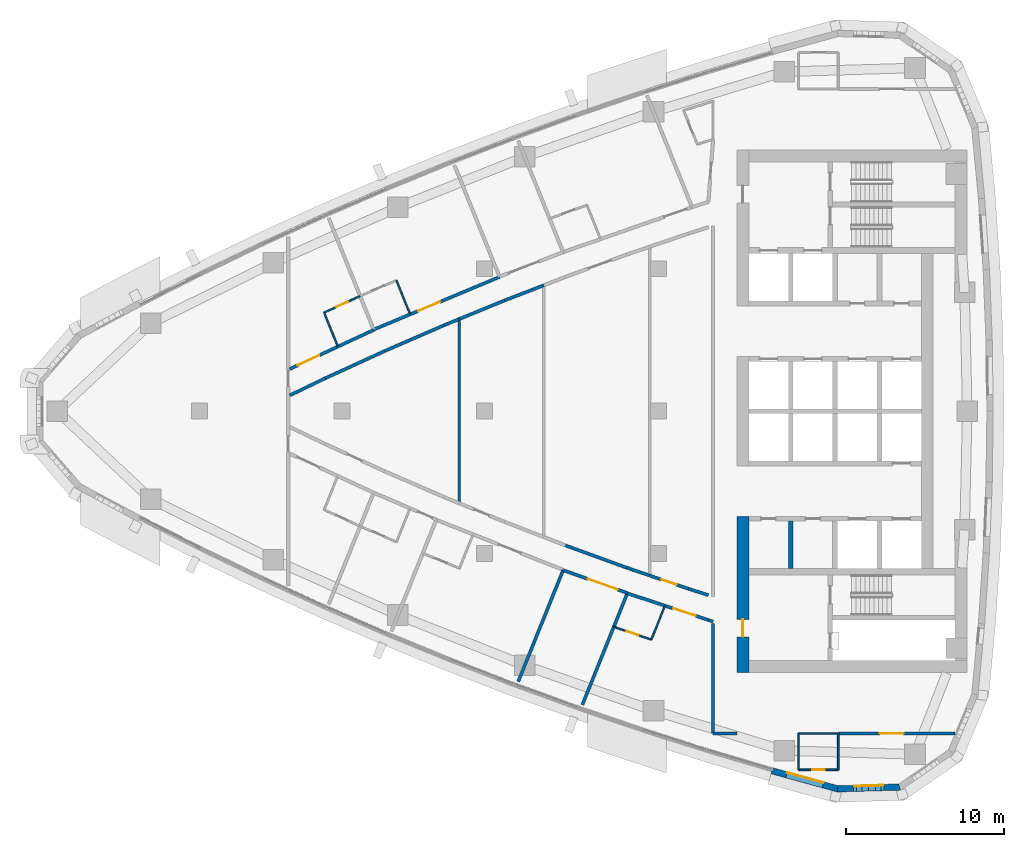
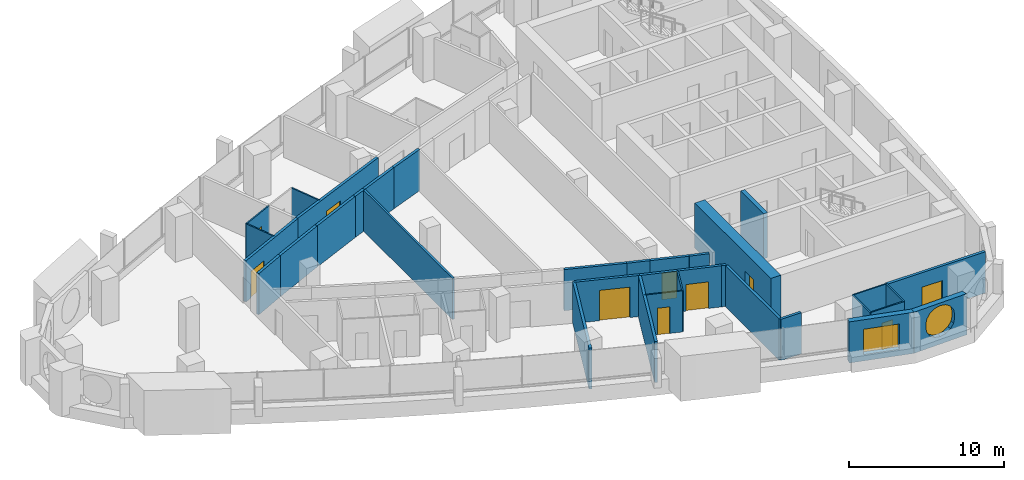
# One storey, part 10 of 17: 34 walls, 10 doors, 2 windows, 12 openings.
"""IFC4 building model written with IfcOpenShell, lengths in metres."""

import ifcopenshell
import ifcopenshell.guid

model = None  # the IFC model being written
_history = None  # IfcOwnerHistory: only IFC2X3 demands one
_inside = {}  # id of a spatial element -> (the spatial element, [elements in it])
_under = {}  # id of a project, library or spatial element -> (it, [spatial elements below it])
_declared = {}  # id of a project -> (the project, [libraries it declares])
_typed = {}  # id of a type object -> (the type object, [elements of that type])
_made_of = {}  # id of a material, layer set ... -> (it, [elements and type objects made of it])


def new_model(schema):
    """Start an empty IFC model of exactly this schema.

    Asked for "IFC4X3", IfcOpenShell would pick the latest addendum, in which some entities
    have other attributes; the version numbers below select the first issue.
    IFC2X3 requires an IfcOwnerHistory on every rooted entity: one is made here for all.
    """
    global model, _history
    if schema == "IFC4X3":
        model = ifcopenshell.file(schema_version=(4, 3, 0, 0))
    else:
        model = ifcopenshell.file(schema=schema)
    _inside.clear()
    _under.clear()
    _declared.clear()
    _typed.clear()
    _made_of.clear()
    _history = None
    if model.schema == "IFC2X3":
        org = make("IfcOrganization", Name="unknown")
        user = make(
            "IfcPersonAndOrganization",
            ThePerson=make("IfcPerson", FamilyName="unknown"),
            TheOrganization=org,
        )
        app = make(
            "IfcApplication",
            ApplicationDeveloper=org,
            Version="unknown",
            ApplicationFullName="unknown",
            ApplicationIdentifier="unknown",
        )
        _history = make(
            "IfcOwnerHistory",
            OwningUser=user,
            OwningApplication=app,
            ChangeAction="ADDED",
            CreationDate=0,
        )
    return model


def make(cls, **values):
    """One entity of the class cls with the attributes given. An attribute that is None is left unset."""
    return model.create_entity(
        cls, **{name: value for name, value in values.items() if value is not None}
    )


def rooted(cls, **values):
    """An entity with a GlobalId (a new one), such as an element, a storey or a relation."""
    return make(cls, GlobalId=ifcopenshell.guid.new(), OwnerHistory=_history, **values)


def si_unit(unit_type, name, prefix=None):
    """IfcSIUnit, for example si_unit("LENGTHUNIT", "METRE", prefix="MILLI")."""
    return make("IfcSIUnit", UnitType=unit_type, Prefix=prefix, Name=name)


def assignment(units):
    """IfcUnitAssignment: the units of a project."""
    return None if units is None else make("IfcUnitAssignment", Units=units)


def point(xyz):
    """IfcCartesianPoint."""
    return None if xyz is None else make("IfcCartesianPoint", Coordinates=xyz)


def direction(xyz):
    """IfcDirection."""
    return None if xyz is None else make("IfcDirection", DirectionRatios=xyz)


def frame(location, z_axis=None, x_axis=None):
    """IfcAxis2Placement3D, a coordinate frame: its origin and axes. An axis left out is left unset."""
    return make(
        "IfcAxis2Placement3D",
        Location=point(location),
        Axis=direction(z_axis),
        RefDirection=direction(x_axis),
    )


def frame_2d(location, x_axis=None):
    """IfcAxis2Placement2D, a coordinate frame in the plane: its origin and x axis."""
    return make(
        "IfcAxis2Placement2D", Location=point(location), RefDirection=direction(x_axis)
    )


def origin():
    """The frame at (0, 0, 0) with its axes left unset."""
    return frame((0.0, 0.0, 0.0))


def place(relative_to, where):
    """IfcLocalPlacement: puts the frame where relative to a parent placement (None: the world)."""
    return make(
        "IfcLocalPlacement", PlacementRelTo=relative_to, RelativePlacement=where
    )


def context(
    kind, dimensions, precision=None, world=None, true_north=None, identifier=None
):
    """IfcGeometricRepresentationContext, for example the 3D "Model" context."""
    return make(
        "IfcGeometricRepresentationContext",
        ContextIdentifier=identifier,
        ContextType=kind,
        CoordinateSpaceDimension=dimensions,
        Precision=precision,
        WorldCoordinateSystem=world,
        TrueNorth=true_north,
    )


def subcontext(parent, identifier, kind, view, scale=None):
    """IfcGeometricRepresentationSubContext, for example "Body" below "Model"."""
    return make(
        "IfcGeometricRepresentationSubContext",
        ContextIdentifier=identifier,
        ContextType=kind,
        ParentContext=parent,
        TargetScale=scale,
        TargetView=view,
    )


def project(units=None, contexts=None):
    """IfcProject with its units and contexts."""
    return rooted(
        "IfcProject",
        Name="project",
        RepresentationContexts=contexts,
        UnitsInContext=assignment(units),
    )


def spatial(cls, under=None, at=None, **own):
    """A site, building, storey or space (cls), placed at a placement, below another one or the project."""
    s = rooted(cls, ObjectPlacement=at, **own)
    if under is not None:
        _under.setdefault(under.id(), (under, []))[1].append(s)
    return s


def polyline(points):
    """IfcPolyline through the points."""
    return make("IfcPolyline", Points=[point(p) for p in points])


def profile(cls, at=None, kind="AREA", **sizes):
    """A parametric profile (cls). Its sizes go by their IFC names, for example OverallWidth=200.0."""
    return make(cls, ProfileType=kind, Position=at, **sizes)


def rectangle(**sizes):
    """IfcRectangleProfileDef."""
    return profile("IfcRectangleProfileDef", **sizes)


def outline(outer, holes=None, kind="AREA"):
    """IfcArbitraryClosedProfileDef: a profile drawn as a closed curve; with holes, ...WithVoids."""
    if holes is None:
        return make("IfcArbitraryClosedProfileDef", ProfileType=kind, OuterCurve=outer)
    return make(
        "IfcArbitraryProfileDefWithVoids",
        ProfileType=kind,
        OuterCurve=outer,
        InnerCurves=holes,
    )


def extrude(swept, where, along, depth):
    """IfcExtrudedAreaSolid: the profile swept, set in the frame where, extruded along a direction by depth."""
    return make(
        "IfcExtrudedAreaSolid",
        SweptArea=swept,
        Position=where,
        ExtrudedDirection=direction(along),
        Depth=depth,
    )


def shape(context_of_items, identifier, shape_type, items):
    """IfcShapeRepresentation: the items that make up one representation, for example the "Body"."""
    return make(
        "IfcShapeRepresentation",
        ContextOfItems=context_of_items,
        RepresentationIdentifier=identifier,
        RepresentationType=shape_type,
        Items=items,
    )


def material(Name=None, Category=None):
    """IfcMaterial."""
    return make("IfcMaterial", Name=Name, Category=Category)


def layer(
    of_material, thickness, ventilated=None, Name=None, Category=None, Priority=None
):
    """IfcMaterialLayer: one layer of a wall or slab, of a material (None: an air gap)."""
    return make(
        "IfcMaterialLayer",
        Material=of_material,
        LayerThickness=thickness,
        IsVentilated=ventilated,
        Name=Name,
        Category=Category,
        Priority=Priority,
    )


def layer_set(layers, Name=None):
    """IfcMaterialLayerSet."""
    return make("IfcMaterialLayerSet", MaterialLayers=layers, LayerSetName=Name)


def made_of(thing, what):
    """Note that an element or type object is made of a material, layer set ...; save() writes the relation."""
    if what is not None:
        _made_of.setdefault(what.id(), (what, []))[1].append(thing)
    return thing


def type_object(cls, material=None, **own):
    """A type object (cls), such as IfcWallType, which elements share."""
    return made_of(rooted(cls, **own), material)


def element(
    cls,
    number,
    at=None,
    inside=None,
    cuts=None,
    type_object=None,
    material=None,
    context=None,
    identifier="Body",
    shape_type=None,
    held_by="IfcProductDefinitionShape",
    body=None,
    shapes=None,
    **own,
):
    """One element of the class cls, such as IfcWall. Its Tag is "e" and its number.

    at: its placement. inside: the storey or other place that contains it. cuts: it is an
    opening in that element (IfcRelVoidsElement). A single representation is given by context,
    identifier, shape_type and body (its items); several are given by shapes. held_by: the class
    of the entity that holds the representations. save() writes the other relations.
    """
    e = rooted(cls, Tag="e%d" % number, ObjectPlacement=at, **own)
    if body is not None:
        shapes = [shape(context, identifier, shape_type, body)]
    if shapes is not None:
        e.Representation = make(held_by, Representations=shapes)
    if inside is not None:
        _inside.setdefault(inside.id(), (inside, []))[1].append(e)
    if cuts is not None:
        rooted(
            "IfcRelVoidsElement", RelatingBuildingElement=cuts, RelatedOpeningElement=e
        )
    if type_object is not None:
        _typed.setdefault(type_object.id(), (type_object, []))[1].append(e)
    return made_of(e, material)


def fill(opening, filler):
    """IfcRelFillsElement: the door or window that sits in an opening."""
    return rooted(
        "IfcRelFillsElement",
        RelatingOpeningElement=opening,
        RelatedBuildingElement=filler,
    )


def aggregate(whole, parts):
    """IfcRelAggregates: a whole, such as a stair, and the parts it consists of."""
    return rooted("IfcRelAggregates", RelatingObject=whole, RelatedObjects=parts)


def save(model, path):
    """Write the relations noted so far, then the file.

    IfcRelAggregates (storeys below a building ...), IfcRelContainedInSpatialStructure (elements
    in a storey), IfcRelDefinesByType, IfcRelAssociatesMaterial and IfcRelDeclares: one each for
    every whole, place, type object, material and project.
    """
    for whole, parts in _under.values():
        aggregate(whole, parts)
    for where, things in _inside.values():
        rooted(
            "IfcRelContainedInSpatialStructure",
            RelatedElements=things,
            RelatingStructure=where,
        )
    for kind, things in _typed.values():
        rooted("IfcRelDefinesByType", RelatedObjects=things, RelatingType=kind)
    for what, things in _made_of.values():
        rooted("IfcRelAssociatesMaterial", RelatedObjects=things, RelatingMaterial=what)
    for by, libraries in _declared.values():
        rooted("IfcRelDeclares", RelatingContext=by, RelatedDefinitions=libraries)
    model.write(path)


model = new_model("IFC4")

# Units and contexts
model_context = context("Model", 3, precision=1e-05, world=origin(), true_north=direction((0.0, 1.0)))
body_context = subcontext(model_context, "Body", "Model", "MODEL_VIEW")
ifc_project = project(units=[si_unit("LENGTHUNIT", "METRE"), si_unit("AREAUNIT", "SQUARE_METRE"), si_unit("VOLUMEUNIT", "CUBIC_METRE"), si_unit("PLANEANGLEUNIT", "RADIAN"), si_unit("MASSUNIT", "GRAM", prefix="KILO")], contexts=[model_context])

# Site, building, storey
site_placement = place(None, origin())
site = spatial("IfcSite", under=ifc_project, at=site_placement, CompositionType="ELEMENT")
building_placement = place(site_placement, origin())
building = spatial("IfcBuilding", under=site, at=building_placement, Name="Ostrand Prow Hotel Tower", CompositionType="ELEMENT")
storey_placement = place(building_placement, frame((0.0, 0.0, 200.35009765625)))
storey = spatial("IfcBuildingStorey", under=building, at=storey_placement, Name="L50", CompositionType="ELEMENT", Elevation=200.35009765625)

# Wall
ifc_material_1 = material(Name="Concrete C60/75", Category="concrete")
ifc_layer_1 = layer(ifc_material_1, 0.300048828125)
ifc_layer_set_1 = layer_set([ifc_layer_1], Name="Concrete C60/75")
wall_type_1 = type_object("IfcWallType", Name="Core wall 300 C60/75", PredefinedType="SHEAR", material=ifc_layer_set_1)
wall_1_placement = place(storey_placement, frame((53.35009765625, -9.949951171875, 0.0), z_axis=(0.0, 0.0, 1.0), x_axis=(0.0, 1.0, 0.0)))
element("IfcWall", 1, at=wall_1_placement, inside=storey, type_object=wall_type_1, Name="Core wall PW-R1-SA", PredefinedType="SHEAR", context=body_context, shape_type="SweptSolid", body=[
    extrude(rectangle(XDim=3.0, YDim=0.300048828125, at=frame_2d((1.5, 0.0))), origin(), (0.0, 0.0, 1.0), 3.5498046875),
])

# Wall, opening, door
ifc_material_2 = material(Name="Concrete C60/75", Category="concrete")
ifc_layer_2 = layer(ifc_material_2, 0.75)
ifc_layer_set_2 = layer_set([ifc_layer_2], Name="Concrete C60/75")
wall_type_2 = type_object("IfcWallType", Name="Core wall 750 C60/75", PredefinedType="SHEAR", material=ifc_layer_set_2)
wall_2_placement = place(storey_placement, frame((50.324951171875, -16.5, 0.0), z_axis=(0.0, 0.0, 1.0), x_axis=(0.0, 1.0, 0.0)))
wall_2 = element("IfcWall", 2, at=wall_2_placement, inside=storey, type_object=wall_type_2, Name="Core wall CW-W-S", PredefinedType="SHEAR", context=body_context, shape_type="SweptSolid", body=[
    extrude(rectangle(XDim=9.85009765625, YDim=0.75, at=frame_2d((4.925048828125, 0.0))), origin(), (0.0, 0.0, 1.0), 3.5498046875),
])
opening_1_placement = place(wall_2_placement, frame((2.25, 0.0, 0.0)))
opening_1 = element("IfcOpeningElement", 3, at=opening_1_placement, cuts=wall_2, Name="Opening FD1", PredefinedType="OPENING", context=body_context, shape_type="SweptSolid", body=[
    extrude(rectangle(XDim=1.10009765625, YDim=2.10009765625, at=frame_2d((0.550048828125, 1.050048828125))), frame((0.0, 0.385009765625, 0.0), z_axis=(0.0, -1.0, 0.0), x_axis=(1.0, 0.0, 0.0)), (0.0, 0.0, 1.0), 0.77001953125),
])
ifc_material_3 = material(Name="Steel fire door", Category="steel")
door_type_1 = type_object("IfcDoorType", Name="Fire door 1100 EI120", OperationType="SINGLE_SWING_RIGHT", PredefinedType="DOOR", material=ifc_material_3)
door_1_placement = place(opening_1_placement, origin())
door_1 = element("IfcDoor", 4, at=door_1_placement, inside=storey, type_object=door_type_1, Name="FIRE DOOR", OperationType="SINGLE_SWING_RIGHT", OverallHeight=2.10009765625, OverallWidth=1.10009765625, PredefinedType="DOOR", context=body_context, shape_type="SweptSolid", body=[
    extrude(rectangle(XDim=1.10009765625, YDim=2.10009765625, at=frame_2d((0.550048828125, 1.050048828125))), frame((0.0, 0.02490234375, 0.0), z_axis=(0.0, -1.0, 0.0), x_axis=(1.0, 0.0, 0.0)), (0.0, 0.0, 1.0), 0.050048828125),
])
fill(opening_1, door_1)

ifc_material_4 = material(Name="Plasterboard partition")
ifc_layer_3 = layer(ifc_material_4, 0.10009765625)
ifc_layer_set_3 = layer_set([ifc_layer_3], Name="Plasterboard partition")
wall_type_3 = type_object("IfcWallType", Name="Partition 100 bathroom wall", PredefinedType="PARTITIONING", material=ifc_layer_set_3)
wall_3_placement = place(storey_placement, frame((56.35009765625, -22.64990234375, 0.0), z_axis=(0.0, 0.0, 1.0), x_axis=(-1.0, 0.0, 0.0)))
wall_3 = element("IfcWall", 5, at=wall_3_placement, inside=storey, type_object=wall_type_3, Name="BATHROOM WALL", PredefinedType="PARTITIONING", context=body_context, shape_type="SweptSolid", body=[
    extrude(rectangle(XDim=2.5, YDim=0.10009765625, at=frame_2d((1.25, 0.0))), origin(), (0.0, 0.0, 1.0), 3.25),
])
opening_2_placement = place(wall_3_placement, frame((0.85009765625, 0.0, 0.0)))
opening_2 = element("IfcOpeningElement", 6, at=opening_2_placement, cuts=wall_3, Name="Opening D2", PredefinedType="OPENING", context=body_context, shape_type="SweptSolid", body=[
    extrude(rectangle(XDim=0.800048828125, YDim=2.10009765625, at=frame_2d((0.39990234375, 1.050048828125))), frame((0.0, 0.06005859375, 0.0), z_axis=(0.0, -1.0, 0.0), x_axis=(1.0, 0.0, 0.0)), (0.0, 0.0, 1.0), 0.1201171875),
])
ifc_material_5 = material(Name="Timber door leaf", Category="wood")
door_type_2 = type_object("IfcDoorType", Name="Bathroom door 800", OperationType="SINGLE_SWING_LEFT", PredefinedType="DOOR", material=ifc_material_5)
door_2_placement = place(opening_2_placement, origin())
door_2 = element("IfcDoor", 7, at=door_2_placement, inside=storey, type_object=door_type_2, Name="DOOR", OperationType="SINGLE_SWING_LEFT", OverallHeight=2.10009765625, OverallWidth=0.800048828125, PredefinedType="DOOR", context=body_context, shape_type="SweptSolid", body=[
    extrude(rectangle(XDim=0.800048828125, YDim=2.10009765625, at=frame_2d((0.39990234375, 1.050048828125))), frame((0.0, 0.02490234375, 0.0), z_axis=(0.0, -1.0, 0.0), x_axis=(1.0, 0.0, 0.0)), (0.0, 0.0, 1.0), 0.050048828125),
])
fill(opening_2, door_2)

# Walls
for number, where, z_axis, x_axis, name in (
    (8, (53.85009765625, -22.64990234375, 0.0), (0.0, 0.0, 1.0), (0.0, 1.0, 0.0), "BATHROOM WALL"),
    (9, (56.35009765625, -20.35009765625, 0.0), (0.0, 0.0, 1.0), (0.0, -1.0, 0.0), "BATHROOM WALL"),
):
    element("IfcWall", number, at=place(storey_placement, frame(where, z_axis=z_axis, x_axis=x_axis)), inside=storey, type_object=wall_type_3, Name=name, PredefinedType="PARTITIONING", context=body_context, shape_type="SweptSolid", body=[
        extrude(rectangle(XDim=2.2998046875, YDim=0.10009765625, at=frame_2d((1.14990234375, 0.0))), origin(), (0.0, 0.0, 1.0), 3.25),
    ])

# Wall, opening, door
wall_4_placement = place(storey_placement, frame((23.87548828125, 6.22607421875, 0.0), z_axis=(0.0, 0.0, 1.0), x_axis=(0.909145169949, 0.416479363183, 0.0)))
wall_4 = element("IfcWall", 10, at=wall_4_placement, inside=storey, type_object=wall_type_3, Name="BATHROOM WALL", PredefinedType="PARTITIONING", context=body_context, shape_type="SweptSolid", body=[
    extrude(rectangle(XDim=2.4931640625, YDim=0.10009765625, at=frame_2d((1.24658203125, 0.0))), origin(), (0.0, 0.0, 1.0), 3.25),
])
opening_3_placement = place(wall_4_placement, frame((0.85009765625, 0.0, 0.0)))
opening_3 = element("IfcOpeningElement", 11, at=opening_3_placement, cuts=wall_4, Name="Opening D2", PredefinedType="OPENING", context=body_context, shape_type="SweptSolid", body=[
    extrude(rectangle(XDim=0.800048828125, YDim=2.10009765625, at=frame_2d((0.39990234375, 1.050048828125))), frame((0.0, 0.06005859375, 0.0), z_axis=(0.0, -1.0, 0.0), x_axis=(1.0, 0.0, 0.0)), (0.0, 0.0, 1.0), 0.1201171875),
])
door_3_placement = place(opening_3_placement, origin())
door_3 = element("IfcDoor", 12, at=door_3_placement, inside=storey, type_object=door_type_2, Name="DOOR", OperationType="SINGLE_SWING_LEFT", OverallHeight=2.10009765625, OverallWidth=0.800048828125, PredefinedType="DOOR", context=body_context, shape_type="SweptSolid", body=[
    extrude(rectangle(XDim=0.800048828125, YDim=2.10009765625, at=frame_2d((0.39990234375, 1.050048828125))), frame((0.0, 0.02490234375, 0.0), z_axis=(0.0, -1.0, 0.0), x_axis=(1.0, 0.0, 0.0)), (0.0, 0.0, 1.0), 0.050048828125),
])
fill(opening_3, door_3)

# Walls
wall_5_placement = place(storey_placement, frame((24.7275390625, 4.11181640625, 0.0), z_axis=(0.0, 0.0, 1.0), x_axis=(-0.373790023037, 0.927513352291, 0.0)))
element("IfcWall", 13, at=wall_5_placement, inside=storey, type_object=wall_type_3, Name="BATHROOM WALL", PredefinedType="PARTITIONING", context=body_context, shape_type="SweptSolid", body=[
    extrude(rectangle(XDim=2.279541015625, YDim=0.10009765625, at=frame_2d((1.1396484375, 0.0))), origin(), (0.0, 0.0, 1.0), 3.25),
])
wall_6_placement = place(storey_placement, frame((28.445068359375, 8.26318359375, 0.0), z_axis=(0.0, 0.0, 1.0), x_axis=(0.373902898623, -0.927467855185, 0.0)))
element("IfcWall", 14, at=wall_6_placement, inside=storey, type_object=wall_type_3, Name="BATHROOM WALL", PredefinedType="PARTITIONING", context=body_context, shape_type="SweptSolid", body=[
    extrude(rectangle(XDim=2.277587890625, YDim=0.10009765625, at=frame_2d((1.138671875, 0.0))), origin(), (0.0, 0.0, 1.0), 3.25),
])
wall_7_placement = place(storey_placement, frame((45.39453125, -12.318359375, 0.0), z_axis=(0.0, 0.0, 1.0), x_axis=(-0.373917841166, -0.927461831052, 0.0)))
element("IfcWall", 15, at=wall_7_placement, inside=storey, type_object=wall_type_3, Name="BATHROOM WALL", PredefinedType="PARTITIONING", context=body_context, shape_type="SweptSolid", body=[
    extrude(rectangle(XDim=2.28076171875, YDim=0.10009765625, at=frame_2d((1.140380859375, 0.0))), origin(), (0.0, 0.0, 1.0), 3.25),
])

# Wall, opening, door
wall_8_placement = place(storey_placement, frame((44.541748046875, -14.43359375, 0.0), z_axis=(0.0, 0.0, 1.0), x_axis=(-0.946406575113, 0.322977699822, 0.0)))
wall_8 = element("IfcWall", 16, at=wall_8_placement, inside=storey, type_object=wall_type_3, Name="BATHROOM WALL", PredefinedType="PARTITIONING", context=body_context, shape_type="SweptSolid", body=[
    extrude(rectangle(XDim=2.503662109375, YDim=0.10009765625, at=frame_2d((1.251953125, 0.0))), origin(), (0.0, 0.0, 1.0), 3.25),
])
opening_4_placement = place(wall_8_placement, frame((0.85009765625, 0.0, 0.0)))
opening_4 = element("IfcOpeningElement", 17, at=opening_4_placement, cuts=wall_8, Name="Opening D2", PredefinedType="OPENING", context=body_context, shape_type="SweptSolid", body=[
    extrude(rectangle(XDim=0.800048828125, YDim=2.10009765625, at=frame_2d((0.39990234375, 1.050048828125))), frame((0.0, 0.06005859375, 0.0), z_axis=(0.0, -1.0, 0.0), x_axis=(1.0, 0.0, 0.0)), (0.0, 0.0, 1.0), 0.1201171875),
])
door_4_placement = place(opening_4_placement, origin())
door_4 = element("IfcDoor", 18, at=door_4_placement, inside=storey, type_object=door_type_2, Name="DOOR", OperationType="SINGLE_SWING_LEFT", OverallHeight=2.10009765625, OverallWidth=0.800048828125, PredefinedType="DOOR", context=body_context, shape_type="SweptSolid", body=[
    extrude(rectangle(XDim=0.800048828125, YDim=2.10009765625, at=frame_2d((0.39990234375, 1.050048828125))), frame((0.0, 0.02490234375, 0.0), z_axis=(0.0, -1.0, 0.0), x_axis=(1.0, 0.0, 0.0)), (0.0, 0.0, 1.0), 0.050048828125),
])
fill(opening_4, door_4)

# Walls
wall_9_placement = place(storey_placement, frame((53.85009765625, -20.35498046875, 0.0), z_axis=(0.0, 0.0, 1.0), x_axis=(1.0, 0.0, 0.0)))
element("IfcWall", 19, at=wall_9_placement, inside=storey, type_object=wall_type_3, Name="BATHROOM WALL", PredefinedType="PARTITIONING", context=body_context, shape_type="SweptSolid", body=[
    extrude(rectangle(XDim=2.5, YDim=0.10009765625, at=frame_2d((1.25, 0.0))), origin(), (0.0, 0.0, 1.0), 3.25),
])
ifc_material_6 = material(Name="Plasterboard partition")
ifc_layer_4 = layer(ifc_material_6, 0.14990234375)
ifc_layer_set_4 = layer_set([ifc_layer_4], Name="Plasterboard partition")
wall_type_4 = type_object("IfcWallType", Name="Partition 150 room partition", PredefinedType="PARTITIONING", material=ifc_layer_set_4)
wall_10_placement = place(storey_placement, frame((32.40234375, -5.81591796875, 0.0), z_axis=(0.0, 0.0, 1.0), x_axis=(0.0, 1.0, 0.0)))
element("IfcWall", 20, at=wall_10_placement, inside=storey, type_object=wall_type_4, Name="ROOM PARTITION", PredefinedType="PARTITIONING", context=body_context, shape_type="SweptSolid", body=[
    extrude(rectangle(XDim=11.6318359375, YDim=0.14990234375, at=frame_2d((5.81591796875, 0.0))), origin(), (0.0, 0.0, 1.0), 3.25),
])

# Wall, opening, door
ifc_material_7 = material(Name="Plasterboard partition")
ifc_layer_5 = layer(ifc_material_7, 0.199951171875)
ifc_layer_set_5 = layer_set([ifc_layer_5], Name="Plasterboard partition")
wall_type_5 = type_object("IfcWallType", Name="Partition 200 corridor wall", PredefinedType="PARTITIONING", material=ifc_layer_set_5)
wall_11_placement = place(storey_placement, frame((21.7041015625, 2.66259765625, 0.0), z_axis=(0.0, 0.0, 1.0), x_axis=(0.906619470853, 0.421949209112, 0.0)))
wall_11 = element("IfcWall", 21, at=wall_11_placement, inside=storey, type_object=wall_type_5, Name="CORRIDOR WALL", PredefinedType="PARTITIONING", context=body_context, shape_type="SweptSolid", body=[
    extrude(rectangle(XDim=5.854248046875, YDim=0.199951171875, at=frame_2d((2.92724609375, 0.0))), origin(), (0.0, 0.0, 1.0), 3.25),
])
opening_5_placement = place(wall_11_placement, frame((0.550048828125, 0.0, 0.0)))
opening_5 = element("IfcOpeningElement", 22, at=opening_5_placement, cuts=wall_11, Name="Opening D15", PredefinedType="OPENING", context=body_context, shape_type="SweptSolid", body=[
    extrude(rectangle(XDim=1.5, YDim=2.10009765625, at=frame_2d((0.75, 1.050048828125))), frame((0.0, 0.10986328125, 0.0), z_axis=(0.0, -1.0, 0.0), x_axis=(1.0, 0.0, 0.0)), (0.0, 0.0, 1.0), 0.219970703125),
])
ifc_material_8 = material(Name="Timber door leaf", Category="wood")
door_type_3 = type_object("IfcDoorType", Name="Double door 1500", OperationType="DOUBLE_DOOR_SINGLE_SWING", PredefinedType="DOOR", material=ifc_material_8)
door_5_placement = place(opening_5_placement, origin())
door_5 = element("IfcDoor", 23, at=door_5_placement, inside=storey, type_object=door_type_3, Name="DOOR", OperationType="DOUBLE_DOOR_SINGLE_SWING", OverallHeight=2.10009765625, OverallWidth=1.5, PredefinedType="DOOR", context=body_context, shape_type="SweptSolid", body=[
    extrude(rectangle(XDim=1.5, YDim=2.10009765625, at=frame_2d((0.75, 1.050048828125))), frame((0.0, 0.02490234375, 0.0), z_axis=(0.0, -1.0, 0.0), x_axis=(1.0, 0.0, 0.0)), (0.0, 0.0, 1.0), 0.050048828125),
])
fill(opening_5, door_5)

wall_12_placement = place(storey_placement, frame((27.004150390625, 5.1513671875, 0.0), z_axis=(0.0, 0.0, 1.0), x_axis=(0.922490953728, 0.386018704586, 0.0)))
wall_12 = element("IfcWall", 24, at=wall_12_placement, inside=storey, type_object=wall_type_5, Name="CORRIDOR WALL", PredefinedType="PARTITIONING", context=body_context, shape_type="SweptSolid", body=[
    extrude(rectangle(XDim=8.619873046875, YDim=0.199951171875, at=frame_2d((4.31005859375, 0.0))), origin(), (0.0, 0.0, 1.0), 3.25),
])
opening_6_placement = place(wall_12_placement, frame((3.050048828125, 0.0, 0.0)))
opening_6 = element("IfcOpeningElement", 25, at=opening_6_placement, cuts=wall_12, Name="Opening D15", PredefinedType="OPENING", context=body_context, shape_type="SweptSolid", body=[
    extrude(rectangle(XDim=1.5, YDim=2.10009765625, at=frame_2d((0.75, 1.050048828125))), frame((0.0, 0.10986328125, 0.0), z_axis=(0.0, -1.0, 0.0), x_axis=(1.0, 0.0, 0.0)), (0.0, 0.0, 1.0), 0.219970703125),
])
door_6_placement = place(opening_6_placement, origin())
door_6 = element("IfcDoor", 26, at=door_6_placement, inside=storey, type_object=door_type_3, Name="DOOR", OperationType="DOUBLE_DOOR_SINGLE_SWING", OverallHeight=2.10009765625, OverallWidth=1.5, PredefinedType="DOOR", context=body_context, shape_type="SweptSolid", body=[
    extrude(rectangle(XDim=1.5, YDim=2.10009765625, at=frame_2d((0.75, 1.050048828125))), frame((0.0, 0.02490234375, 0.0), z_axis=(0.0, -1.0, 0.0), x_axis=(1.0, 0.0, 0.0)), (0.0, 0.0, 1.0), 0.050048828125),
])
fill(opening_6, door_6)

wall_13_placement = place(storey_placement, frame((38.972412109375, -10.044921875, 0.0), z_axis=(0.0, 0.0, 1.0), x_axis=(0.942220252757, -0.334994022773, 0.0)))
wall_13 = element("IfcWall", 27, at=wall_13_placement, inside=storey, type_object=wall_type_5, Name="CORRIDOR WALL", PredefinedType="PARTITIONING", context=body_context, shape_type="SweptSolid", body=[
    extrude(rectangle(XDim=4.31005859375, YDim=0.199951171875, at=frame_2d((2.155029296875, 0.0))), origin(), (0.0, 0.0, 1.0), 3.25),
])
opening_7_placement = place(wall_13_placement, frame((1.655029296875, 0.0, 0.0)))
opening_7 = element("IfcOpeningElement", 28, at=opening_7_placement, cuts=wall_13, Name="Opening D20", PredefinedType="OPENING", context=body_context, shape_type="SweptSolid", body=[
    extrude(rectangle(XDim=2.0, YDim=2.39990234375, at=frame_2d((1.0, 1.199951171875))), frame((0.0, 0.10986328125, 0.0), z_axis=(0.0, -1.0, 0.0), x_axis=(1.0, 0.0, 0.0)), (0.0, 0.0, 1.0), 0.219970703125),
])
ifc_material_9 = material(Name="Timber door leaf", Category="wood")
door_type_4 = type_object("IfcDoorType", Name="Double door 2000", OperationType="DOUBLE_DOOR_SINGLE_SWING", PredefinedType="DOOR", material=ifc_material_9)
door_7_placement = place(opening_7_placement, origin())
door_7 = element("IfcDoor", 29, at=door_7_placement, inside=storey, type_object=door_type_4, Name="DOOR", OperationType="DOUBLE_DOOR_SINGLE_SWING", OverallHeight=2.39990234375, OverallWidth=2.0, PredefinedType="DOOR", context=body_context, shape_type="SweptSolid", body=[
    extrude(rectangle(XDim=2.0, YDim=2.39990234375, at=frame_2d((1.0, 1.199951171875))), frame((0.0, 0.02490234375, 0.0), z_axis=(0.0, -1.0, 0.0), x_axis=(1.0, 0.0, 0.0)), (0.0, 0.0, 1.0), 0.050048828125),
])
fill(opening_7, door_7)

# Walls
wall_14_placement = place(storey_placement, frame((21.7041015625, 0.9970703125, 0.0), z_axis=(0.0, 0.0, 1.0), x_axis=(0.900633695148, 0.434579045933, 0.0)))
element("IfcWall", 30, at=wall_14_placement, inside=storey, type_object=wall_type_5, Name="CORRIDOR WALL", PredefinedType="PARTITIONING", context=body_context, shape_type="SweptSolid", body=[
    extrude(rectangle(XDim=2.48974609375, YDim=0.199951171875, at=frame_2d((1.244873046875, 0.0))), origin(), (0.0, 0.0, 1.0), 3.25),
])
wall_15_placement = place(storey_placement, frame((23.946533203125, 2.0791015625, 0.0), z_axis=(0.0, 0.0, 1.0), x_axis=(0.909180834404, 0.416401501382, 0.0)))
element("IfcWall", 31, at=wall_15_placement, inside=storey, type_object=wall_type_5, Name="CORRIDOR WALL", PredefinedType="PARTITIONING", context=body_context, shape_type="SweptSolid", body=[
    extrude(rectangle(XDim=4.1171875, YDim=0.199951171875, at=frame_2d((2.05859375, 0.0))), origin(), (0.0, 0.0, 1.0), 3.25),
])
wall_16_placement = place(storey_placement, frame((27.689697265625, 3.79345703125, 0.0), z_axis=(0.0, 0.0, 1.0), x_axis=(0.917375244839, 0.398023441717, 0.0)))
element("IfcWall", 32, at=wall_16_placement, inside=storey, type_object=wall_type_5, Name="CORRIDOR WALL", PredefinedType="PARTITIONING", context=body_context, shape_type="SweptSolid", body=[
    extrude(rectangle(XDim=4.116943359375, YDim=0.199951171875, at=frame_2d((2.05859375, 0.0))), origin(), (0.0, 0.0, 1.0), 3.25),
])
wall_17_placement = place(storey_placement, frame((31.466552734375, 5.43212890625, 0.0), z_axis=(0.0, 0.0, 1.0), x_axis=(0.925212079844, 0.379450401648, 0.0)))
element("IfcWall", 33, at=wall_17_placement, inside=storey, type_object=wall_type_5, Name="CORRIDOR WALL", PredefinedType="PARTITIONING", context=body_context, shape_type="SweptSolid", body=[
    extrude(rectangle(XDim=1.011474609375, YDim=0.199951171875, at=frame_2d((0.505859375, 0.0))), origin(), (0.0, 0.0, 1.0), 3.25),
])
wall_18_placement = place(storey_placement, frame((35.275634765625, 6.994384765625, 0.0), z_axis=(0.0, 0.0, 1.0), x_axis=(0.932689885878, 0.360679326801, 0.0)))
element("IfcWall", 34, at=wall_18_placement, inside=storey, type_object=wall_type_5, Name="CORRIDOR WALL", PredefinedType="PARTITIONING", context=body_context, shape_type="SweptSolid", body=[
    extrude(rectangle(XDim=2.65478515625, YDim=0.199951171875, at=frame_2d((1.327392578125, 0.0))), origin(), (0.0, 0.0, 1.0), 3.25),
])
wall_19_placement = place(storey_placement, frame((32.40234375, 5.81591796875, 0.0), z_axis=(0.0, 0.0, 1.0), x_axis=(0.925204713675, 0.379468362045, 0.0)))
element("IfcWall", 35, at=wall_19_placement, inside=storey, type_object=wall_type_5, Name="CORRIDOR WALL", PredefinedType="PARTITIONING", context=body_context, shape_type="SweptSolid", body=[
    extrude(rectangle(XDim=3.10546875, YDim=0.199951171875, at=frame_2d((1.552734375, 0.0))), origin(), (0.0, 0.0, 1.0), 3.25),
])
wall_20_placement = place(storey_placement, frame((44.43798828125, -10.383056640625, 0.0), z_axis=(0.0, 0.0, 1.0), x_axis=(-0.946450589454, 0.32284869788, 0.0)))
element("IfcWall", 36, at=wall_20_placement, inside=storey, type_object=wall_type_5, Name="CORRIDOR WALL", PredefinedType="PARTITIONING", context=body_context, shape_type="SweptSolid", body=[
    extrude(rectangle(XDim=1.535888671875, YDim=0.199951171875, at=frame_2d((0.76806640625, 0.0))), origin(), (0.0, 0.0, 1.0), 3.25),
])
wall_21_placement = place(storey_placement, frame((42.984375, -9.88720703125, 0.0), z_axis=(0.0, 0.0, 1.0), x_axis=(-0.939727613335, 0.341923986779, 0.0)))
element("IfcWall", 37, at=wall_21_placement, inside=storey, type_object=wall_type_5, Name="CORRIDOR WALL", PredefinedType="PARTITIONING", context=body_context, shape_type="SweptSolid", body=[
    extrude(rectangle(XDim=4.116943359375, YDim=0.199951171875, at=frame_2d((2.05859375, 0.0))), origin(), (0.0, 0.0, 1.0), 3.25),
])

# Wall, opening, door
wall_22_placement = place(storey_placement, frame((46.880859375, -11.216552734375, 0.0), z_axis=(0.0, 0.0, 1.0), x_axis=(-0.946427432629, 0.322916575554, 0.0)))
wall_22 = element("IfcWall", 38, at=wall_22_placement, inside=storey, type_object=wall_type_5, Name="CORRIDOR WALL", PredefinedType="PARTITIONING", context=body_context, shape_type="SweptSolid", body=[
    extrude(rectangle(XDim=2.5810546875, YDim=0.199951171875, at=frame_2d((1.29052734375, 0.0))), origin(), (0.0, 0.0, 1.0), 3.25),
])
opening_8_placement = place(wall_22_placement, frame((0.79052734375, 0.0, 0.0)))
opening_8 = element("IfcOpeningElement", 39, at=opening_8_placement, cuts=wall_22, Name="Opening D1", PredefinedType="OPENING", context=body_context, shape_type="SweptSolid", body=[
    extrude(rectangle(XDim=1.0, YDim=2.10009765625, at=frame_2d((0.5, 1.050048828125))), frame((0.0, 0.10986328125, 0.0), z_axis=(0.0, -1.0, 0.0), x_axis=(1.0, 0.0, 0.0)), (0.0, 0.0, 1.0), 0.219970703125),
])
ifc_material_10 = material(Name="Timber door leaf", Category="wood")
door_type_5 = type_object("IfcDoorType", Name="Guest room door 1000", OperationType="SINGLE_SWING_LEFT", PredefinedType="DOOR", material=ifc_material_10)
door_8_placement = place(opening_8_placement, origin())
door_8 = element("IfcDoor", 40, at=door_8_placement, inside=storey, type_object=door_type_5, Name="DOOR", OperationType="SINGLE_SWING_LEFT", OverallHeight=2.10009765625, OverallWidth=1.0, PredefinedType="DOOR", context=body_context, shape_type="SweptSolid", body=[
    extrude(rectangle(XDim=1.0, YDim=2.10009765625, at=frame_2d((0.5, 1.050048828125))), frame((0.0, 0.02490234375, 0.0), z_axis=(0.0, -1.0, 0.0), x_axis=(1.0, 0.0, 0.0)), (0.0, 0.0, 1.0), 0.050048828125),
])
fill(opening_8, door_8)

wall_23_placement = place(storey_placement, frame((56.35498046875, -20.35498046875, 0.0), z_axis=(0.0, 0.0, 1.0), x_axis=(1.0, 0.0, 0.0)))
wall_23 = element("IfcWall", 41, at=wall_23_placement, inside=storey, type_object=wall_type_5, Name="CORRIDOR WALL", PredefinedType="PARTITIONING", context=body_context, shape_type="SweptSolid", body=[
    extrude(rectangle(XDim=7.3544921875, YDim=0.199951171875, at=frame_2d((3.67724609375, 0.0))), origin(), (0.0, 0.0, 1.0), 3.25),
])
opening_9_placement = place(wall_23_placement, frame((2.623779296875, 0.0, 0.0)))
opening_9 = element("IfcOpeningElement", 42, at=opening_9_placement, cuts=wall_23, Name="Opening D15", PredefinedType="OPENING", context=body_context, shape_type="SweptSolid", body=[
    extrude(rectangle(XDim=1.5, YDim=2.10009765625, at=frame_2d((0.75, 1.050048828125))), frame((0.0, 0.10986328125, 0.0), z_axis=(0.0, -1.0, 0.0), x_axis=(1.0, 0.0, 0.0)), (0.0, 0.0, 1.0), 0.219970703125),
])
door_9_placement = place(opening_9_placement, origin())
door_9 = element("IfcDoor", 43, at=door_9_placement, inside=storey, type_object=door_type_3, Name="DOOR", OperationType="DOUBLE_DOOR_SINGLE_SWING", OverallHeight=2.10009765625, OverallWidth=1.5, PredefinedType="DOOR", context=body_context, shape_type="SweptSolid", body=[
    extrude(rectangle(XDim=1.5, YDim=2.10009765625, at=frame_2d((0.75, 1.050048828125))), frame((0.0, 0.02490234375, 0.0), z_axis=(0.0, -1.0, 0.0), x_axis=(1.0, 0.0, 0.0)), (0.0, 0.0, 1.0), 0.050048828125),
])
fill(opening_9, door_9)

wall_24_placement = place(storey_placement, frame((43.02587890625, -11.50732421875, 0.0), z_axis=(0.0, 0.0, 1.0), x_axis=(0.949951949432, -0.312396052744, 0.0)))
wall_24 = element("IfcWall", 44, at=wall_24_placement, inside=storey, type_object=wall_type_5, Name="CORRIDOR WALL", PredefinedType="PARTITIONING", context=body_context, shape_type="SweptSolid", body=[
    extrude(rectangle(XDim=5.39404296875, YDim=0.199951171875, at=frame_2d((2.697021484375, 0.0))), origin(), (0.0, 0.0, 1.0), 3.25),
])
opening_10_placement = place(wall_24_placement, frame((3.050048828125, 0.0, 0.0)))
opening_10 = element("IfcOpeningElement", 45, at=opening_10_placement, cuts=wall_24, Name="Opening D15", PredefinedType="OPENING", context=body_context, shape_type="SweptSolid", body=[
    extrude(rectangle(XDim=1.5, YDim=2.10009765625, at=frame_2d((0.75, 1.050048828125))), frame((0.0, 0.10986328125, 0.0), z_axis=(0.0, -1.0, 0.0), x_axis=(1.0, 0.0, 0.0)), (0.0, 0.0, 1.0), 0.219970703125),
])
door_10_placement = place(opening_10_placement, origin())
door_10 = element("IfcDoor", 46, at=door_10_placement, inside=storey, type_object=door_type_3, Name="DOOR", OperationType="DOUBLE_DOOR_SINGLE_SWING", OverallHeight=2.10009765625, OverallWidth=1.5, PredefinedType="DOOR", context=body_context, shape_type="SweptSolid", body=[
    extrude(rectangle(XDim=1.5, YDim=2.10009765625, at=frame_2d((0.75, 1.050048828125))), frame((0.0, 0.02490234375, 0.0), z_axis=(0.0, -1.0, 0.0), x_axis=(1.0, 0.0, 0.0)), (0.0, 0.0, 1.0), 0.050048828125),
])
fill(opening_10, door_10)

# Walls
wall_25_placement = place(storey_placement, frame((48.14990234375, -11.62109375, 0.0), z_axis=(0.0, 0.0, 1.0), x_axis=(-0.952761948983, 0.303718074157, 0.0)))
element("IfcWall", 47, at=wall_25_placement, inside=storey, type_object=wall_type_5, Name="CORRIDOR WALL", PredefinedType="PARTITIONING", context=body_context, shape_type="SweptSolid", body=[
    extrude(rectangle(XDim=1.33203125, YDim=0.199951171875, at=frame_2d((0.666015625, 0.0))), origin(), (0.0, 0.0, 1.0), 3.25),
])
wall_26_placement = place(storey_placement, frame((48.14990234375, -13.1923828125, 0.0), z_axis=(0.0, 0.0, 1.0), x_axis=(0.944623214561, -0.328156947987, 0.0)))
element("IfcWall", 48, at=wall_26_placement, inside=storey, type_object=wall_type_5, Name="CORRIDOR WALL", PredefinedType="PARTITIONING", context=body_context, shape_type="SweptSolid", body=[
    extrude(rectangle(XDim=0.3125, YDim=0.199951171875, at=frame_2d((0.15625, 0.0))), origin(), (0.0, 0.0, 1.0), 3.25),
])
wall_27_placement = place(storey_placement, frame((48.445068359375, -13.414794921875, 0.0), z_axis=(0.0, 0.0, 1.0), x_axis=(3.5195157e-05, -0.999999999381, 0.0)))
element("IfcWall", 49, at=wall_27_placement, inside=storey, type_object=wall_type_5, Name="CORRIDOR WALL", PredefinedType="PARTITIONING", context=body_context, shape_type="SweptSolid", body=[
    extrude(rectangle(XDim=6.936767578125, YDim=0.199951171875, at=frame_2d((3.46826171875, 0.0))), origin(), (0.0, 0.0, 1.0), 3.25),
])
wall_28_placement = place(storey_placement, frame((48.4453125, -20.3515625, 0.0), z_axis=(0.0, 0.0, 1.0), x_axis=(0.999997403051, -0.002279010849, 0.0)))
element("IfcWall", 50, at=wall_28_placement, inside=storey, type_object=wall_type_5, Name="CORRIDOR WALL", PredefinedType="PARTITIONING", context=body_context, shape_type="SweptSolid", body=[
    extrude(rectangle(XDim=1.499755859375, YDim=0.199951171875, at=frame_2d((0.75, 0.0))), origin(), (0.0, 0.0, 1.0), 3.25),
])
ifc_material_11 = material(Name="Plasterboard partition")
ifc_layer_6 = layer(ifc_material_11, 0.199951171875)
ifc_layer_set_6 = layer_set([ifc_layer_6], Name="Plasterboard partition")
wall_type_6 = type_object("IfcWallType", Name="Partition 200 key partition", PredefinedType="PARTITIONING", material=ifc_layer_set_6)
wall_29_placement = place(storey_placement, frame((36.13671875, -17.079345703125, 0.0), z_axis=(0.0, 0.0, 1.0), x_axis=(0.373863662938, 0.927483671843, 0.0)))
element("IfcWall", 51, at=wall_29_placement, inside=storey, type_object=wall_type_6, Name="KEY PARTITION", PredefinedType="PARTITIONING", context=body_context, shape_type="SweptSolid", body=[
    extrude(rectangle(XDim=7.6044921875, YDim=0.199951171875, at=frame_2d((3.80224609375, 0.0))), origin(), (0.0, 0.0, 1.0), 3.25),
])
wall_30_placement = place(storey_placement, frame((40.187744140625, -18.548095703125, 0.0), z_axis=(0.0, 0.0, 1.0), x_axis=(0.373877998371, 0.927477893178, 0.0)))
element("IfcWall", 52, at=wall_30_placement, inside=storey, type_object=wall_type_6, Name="KEY PARTITION", PredefinedType="PARTITIONING", context=body_context, shape_type="SweptSolid", body=[
    extrude(rectangle(XDim=7.611328125, YDim=0.199951171875, at=frame_2d((3.8056640625, 0.0))), origin(), (0.0, 0.0, 1.0), 3.25),
])

# Wall, opening, window
ifc_material_12 = material(Name="Precast concrete C40/50", Category="concrete")
ifc_layer_7 = layer(ifc_material_12, 0.39990234375)
ifc_layer_set_7 = layer_set([ifc_layer_7], Name="Precast concrete C40/50")
wall_type_7 = type_object("IfcWallType", Name="Stone-faced precast wall 400 mm", PredefinedType="NOTDEFINED", material=ifc_layer_set_7)
wall_31_placement = place(storey_placement, frame((52.15478515625, -22.7158203125, 0.0), z_axis=(0.0, 0.0, 1.0), x_axis=(0.964205755089, -0.265155165617, 0.0)))
wall_31 = element("IfcWall", 53, at=wall_31_placement, inside=storey, type_object=wall_type_7, Name="Stone-faced wall back 1", PredefinedType="NOTDEFINED", context=body_context, shape_type="SweptSolid", body=[
    extrude(outline(polyline([(0.0, -0.199951171875), (4.3369140625, -0.199951171875), (4.27734375, 0.199951171875), (0.0, 0.199951171875), (0.0, -0.199951171875)])), origin(), (0.0, 0.0, 1.0), 3.25),
])
opening_11_placement = place(wall_31_placement, frame((0.95361328125, 0.0, 0.5)))
opening_11 = element("IfcOpeningElement", 54, at=opening_11_placement, cuts=wall_31, Name="Opening WA1", PredefinedType="OPENING", context=body_context, shape_type="SweptSolid", body=[
    extrude(rectangle(XDim=2.39990234375, YDim=2.0, at=frame_2d((1.199951171875, 1.0))), frame((0.0, 0.2099609375, 0.0), z_axis=(0.0, -1.0, 0.0), x_axis=(1.0, 0.0, 0.0)), (0.0, 0.0, 1.0), 0.419921875),
])
ifc_material_13 = material(Name="Insulated glass in bronze frame", Category="glass")
window_type_1 = type_object("IfcWindowType", Name="Amenity picture window 2400x2000", PartitioningType="SINGLE_PANEL", PredefinedType="WINDOW", material=ifc_material_13)
window_1_placement = place(opening_11_placement, origin())
window_1 = element("IfcWindow", 55, at=window_1_placement, inside=storey, type_object=window_type_1, Name="Window back 1.1", OverallHeight=2.0, OverallWidth=2.39990234375, PartitioningType="SINGLE_PANEL", PredefinedType="WINDOW", context=body_context, shape_type="SweptSolid", body=[
    extrude(rectangle(XDim=2.39990234375, YDim=2.0, at=frame_2d((1.199951171875, 1.0))), frame((0.0, 0.169921875, 0.0), z_axis=(0.0, -1.0, 0.0), x_axis=(1.0, 0.0, 0.0)), (0.0, 0.0, 1.0), 0.06005859375),
])
fill(opening_11, window_1)

wall_32_placement = place(storey_placement, frame((56.307861328125, -23.85791015625, 0.0), z_axis=(0.0, 0.0, 1.0), x_axis=(0.999587920197, 0.028705222472, 0.0)))
wall_32 = element("IfcWall", 56, at=wall_32_placement, inside=storey, type_object=wall_type_7, Name="Stone-faced wall back 2", PredefinedType="NOTDEFINED", context=body_context, shape_type="SweptSolid", body=[
    extrude(outline(polyline([(-0.02978515625, -0.199951171875), (3.988525390625, -0.199951171875), (3.870361328125, 0.199951171875), (0.02978515625, 0.199951171875), (-0.02978515625, -0.199951171875)])), origin(), (0.0, 0.0, 1.0), 3.25),
])
opening_12_placement = place(wall_32_placement, frame((0.864501953125, 0.0, 0.60009765625)))
opening_12 = element("IfcOpeningElement", 57, at=opening_12_placement, cuts=wall_32, Name="Opening WP2", PredefinedType="OPENING", context=body_context, shape_type="SweptSolid", body=[
    extrude(outline(polyline([(0.0, 1.35009765625), (0.083740234375, 1.77099609375), (0.322265625, 2.127685546875), (0.678955078125, 2.3662109375), (1.10009765625, 2.449951171875), (1.52099609375, 2.3662109375), (1.877685546875, 2.127685546875), (2.1162109375, 1.77099609375), (2.199951171875, 1.35009765625), (2.199951171875, 1.10009765625), (2.1162109375, 0.678955078125), (1.877685546875, 0.322265625), (1.52099609375, 0.083740234375), (1.10009765625, 0.0), (0.678955078125, 0.083740234375), (0.322265625, 0.322265625), (0.083740234375, 0.678955078125), (0.0, 1.099853515625), (0.0, 1.35009765625)])), frame((0.0, 0.2099609375, 0.0), z_axis=(0.0, -1.0, 0.0), x_axis=(1.0, 0.0, 0.0)), (0.0, 0.0, 1.0), 0.419921875),
])
ifc_material_14 = material(Name="Insulated glass in bronze frame", Category="glass")
window_type_2 = type_object("IfcWindowType", Name="Round-ended prow lounge window 2200x2450", PartitioningType="SINGLE_PANEL", PredefinedType="WINDOW", material=ifc_material_14)
window_2_placement = place(opening_12_placement, origin())
window_2 = element("IfcWindow", 58, at=window_2_placement, inside=storey, type_object=window_type_2, Name="Window back 2.1", OverallHeight=2.449951171875, OverallWidth=2.199951171875, PartitioningType="SINGLE_PANEL", PredefinedType="WINDOW", context=body_context, shape_type="SweptSolid", body=[
    extrude(outline(polyline([(0.0, 1.35009765625), (0.083740234375, 1.77099609375), (0.322265625, 2.127685546875), (0.678955078125, 2.3662109375), (1.10009765625, 2.449951171875), (1.52099609375, 2.3662109375), (1.877685546875, 2.127685546875), (2.1162109375, 1.77099609375), (2.199951171875, 1.35009765625), (2.199951171875, 1.10009765625), (2.1162109375, 0.678955078125), (1.877685546875, 0.322265625), (1.52099609375, 0.083740234375), (1.10009765625, 0.0), (0.678955078125, 0.083740234375), (0.322265625, 0.322265625), (0.083740234375, 0.678955078125), (0.0, 1.099853515625), (0.0, 1.35009765625)])), frame((0.0, 0.169921875, 0.0), z_axis=(0.0, -1.0, 0.0), x_axis=(1.0, 0.0, 0.0)), (0.0, 0.0, 1.0), 0.06005859375),
])
fill(opening_12, window_2)

save(model, "model.ifc")
